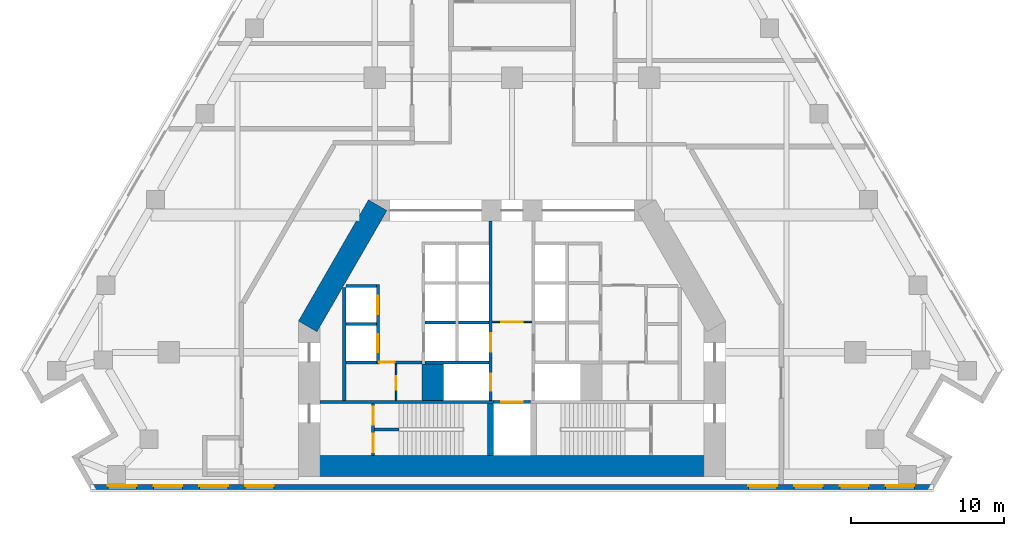
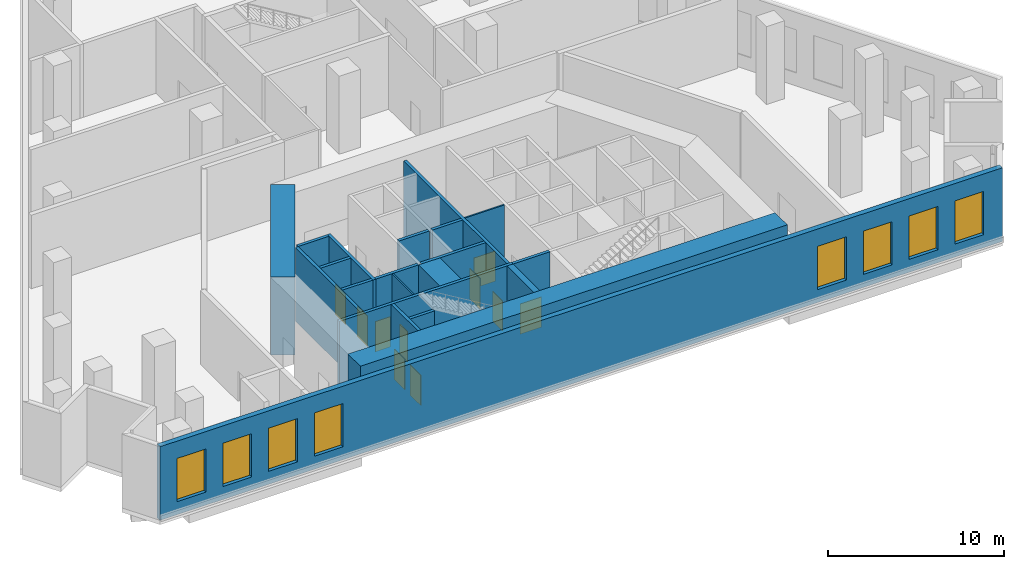
# One storey, part 4 of 10: 21 walls, 10 doors, 8 windows, 18 openings.
"""IFC4 building model written with IfcOpenShell, lengths in metres."""

import ifcopenshell
import ifcopenshell.guid

model = None  # the IFC model being written
_history = None  # IfcOwnerHistory: only IFC2X3 demands one
_inside = {}  # id of a spatial element -> (the spatial element, [elements in it])
_under = {}  # id of a project, library or spatial element -> (it, [spatial elements below it])
_declared = {}  # id of a project -> (the project, [libraries it declares])
_typed = {}  # id of a type object -> (the type object, [elements of that type])
_made_of = {}  # id of a material, layer set ... -> (it, [elements and type objects made of it])


def new_model(schema):
    """Start an empty IFC model of exactly this schema.

    Asked for "IFC4X3", IfcOpenShell would pick the latest addendum, in which some entities
    have other attributes; the version numbers below select the first issue.
    IFC2X3 requires an IfcOwnerHistory on every rooted entity: one is made here for all.
    """
    global model, _history
    if schema == "IFC4X3":
        model = ifcopenshell.file(schema_version=(4, 3, 0, 0))
    else:
        model = ifcopenshell.file(schema=schema)
    _inside.clear()
    _under.clear()
    _declared.clear()
    _typed.clear()
    _made_of.clear()
    _history = None
    if model.schema == "IFC2X3":
        org = make("IfcOrganization", Name="unknown")
        user = make(
            "IfcPersonAndOrganization",
            ThePerson=make("IfcPerson", FamilyName="unknown"),
            TheOrganization=org,
        )
        app = make(
            "IfcApplication",
            ApplicationDeveloper=org,
            Version="unknown",
            ApplicationFullName="unknown",
            ApplicationIdentifier="unknown",
        )
        _history = make(
            "IfcOwnerHistory",
            OwningUser=user,
            OwningApplication=app,
            ChangeAction="ADDED",
            CreationDate=0,
        )
    return model


def make(cls, **values):
    """One entity of the class cls with the attributes given. An attribute that is None is left unset."""
    return model.create_entity(
        cls, **{name: value for name, value in values.items() if value is not None}
    )


def rooted(cls, **values):
    """An entity with a GlobalId (a new one), such as an element, a storey or a relation."""
    return make(cls, GlobalId=ifcopenshell.guid.new(), OwnerHistory=_history, **values)


def si_unit(unit_type, name, prefix=None):
    """IfcSIUnit, for example si_unit("LENGTHUNIT", "METRE", prefix="MILLI")."""
    return make("IfcSIUnit", UnitType=unit_type, Prefix=prefix, Name=name)


def assignment(units):
    """IfcUnitAssignment: the units of a project."""
    return None if units is None else make("IfcUnitAssignment", Units=units)


def point(xyz):
    """IfcCartesianPoint."""
    return None if xyz is None else make("IfcCartesianPoint", Coordinates=xyz)


def direction(xyz):
    """IfcDirection."""
    return None if xyz is None else make("IfcDirection", DirectionRatios=xyz)


def frame(location, z_axis=None, x_axis=None):
    """IfcAxis2Placement3D, a coordinate frame: its origin and axes. An axis left out is left unset."""
    return make(
        "IfcAxis2Placement3D",
        Location=point(location),
        Axis=direction(z_axis),
        RefDirection=direction(x_axis),
    )


def frame_2d(location, x_axis=None):
    """IfcAxis2Placement2D, a coordinate frame in the plane: its origin and x axis."""
    return make(
        "IfcAxis2Placement2D", Location=point(location), RefDirection=direction(x_axis)
    )


def origin():
    """The frame at (0, 0, 0) with its axes left unset."""
    return frame((0.0, 0.0, 0.0))


def place(relative_to, where):
    """IfcLocalPlacement: puts the frame where relative to a parent placement (None: the world)."""
    return make(
        "IfcLocalPlacement", PlacementRelTo=relative_to, RelativePlacement=where
    )


def context(
    kind, dimensions, precision=None, world=None, true_north=None, identifier=None
):
    """IfcGeometricRepresentationContext, for example the 3D "Model" context."""
    return make(
        "IfcGeometricRepresentationContext",
        ContextIdentifier=identifier,
        ContextType=kind,
        CoordinateSpaceDimension=dimensions,
        Precision=precision,
        WorldCoordinateSystem=world,
        TrueNorth=true_north,
    )


def subcontext(parent, identifier, kind, view, scale=None):
    """IfcGeometricRepresentationSubContext, for example "Body" below "Model"."""
    return make(
        "IfcGeometricRepresentationSubContext",
        ContextIdentifier=identifier,
        ContextType=kind,
        ParentContext=parent,
        TargetScale=scale,
        TargetView=view,
    )


def project(units=None, contexts=None):
    """IfcProject with its units and contexts."""
    return rooted(
        "IfcProject",
        Name="project",
        RepresentationContexts=contexts,
        UnitsInContext=assignment(units),
    )


def spatial(cls, under=None, at=None, **own):
    """A site, building, storey or space (cls), placed at a placement, below another one or the project."""
    s = rooted(cls, ObjectPlacement=at, **own)
    if under is not None:
        _under.setdefault(under.id(), (under, []))[1].append(s)
    return s


def profile(cls, at=None, kind="AREA", **sizes):
    """A parametric profile (cls). Its sizes go by their IFC names, for example OverallWidth=200.0."""
    return make(cls, ProfileType=kind, Position=at, **sizes)


def rectangle(**sizes):
    """IfcRectangleProfileDef."""
    return profile("IfcRectangleProfileDef", **sizes)


def extrude(swept, where, along, depth):
    """IfcExtrudedAreaSolid: the profile swept, set in the frame where, extruded along a direction by depth."""
    return make(
        "IfcExtrudedAreaSolid",
        SweptArea=swept,
        Position=where,
        ExtrudedDirection=direction(along),
        Depth=depth,
    )


def shape(context_of_items, identifier, shape_type, items):
    """IfcShapeRepresentation: the items that make up one representation, for example the "Body"."""
    return make(
        "IfcShapeRepresentation",
        ContextOfItems=context_of_items,
        RepresentationIdentifier=identifier,
        RepresentationType=shape_type,
        Items=items,
    )


def material(Name=None, Category=None):
    """IfcMaterial."""
    return make("IfcMaterial", Name=Name, Category=Category)


def layer(
    of_material, thickness, ventilated=None, Name=None, Category=None, Priority=None
):
    """IfcMaterialLayer: one layer of a wall or slab, of a material (None: an air gap)."""
    return make(
        "IfcMaterialLayer",
        Material=of_material,
        LayerThickness=thickness,
        IsVentilated=ventilated,
        Name=Name,
        Category=Category,
        Priority=Priority,
    )


def layer_set(layers, Name=None):
    """IfcMaterialLayerSet."""
    return make("IfcMaterialLayerSet", MaterialLayers=layers, LayerSetName=Name)


def made_of(thing, what):
    """Note that an element or type object is made of a material, layer set ...; save() writes the relation."""
    if what is not None:
        _made_of.setdefault(what.id(), (what, []))[1].append(thing)
    return thing


def type_object(cls, material=None, **own):
    """A type object (cls), such as IfcWallType, which elements share."""
    return made_of(rooted(cls, **own), material)


def element(
    cls,
    number,
    at=None,
    inside=None,
    cuts=None,
    type_object=None,
    material=None,
    context=None,
    identifier="Body",
    shape_type=None,
    held_by="IfcProductDefinitionShape",
    body=None,
    shapes=None,
    **own,
):
    """One element of the class cls, such as IfcWall. Its Tag is "e" and its number.

    at: its placement. inside: the storey or other place that contains it. cuts: it is an
    opening in that element (IfcRelVoidsElement). A single representation is given by context,
    identifier, shape_type and body (its items); several are given by shapes. held_by: the class
    of the entity that holds the representations. save() writes the other relations.
    """
    e = rooted(cls, Tag="e%d" % number, ObjectPlacement=at, **own)
    if body is not None:
        shapes = [shape(context, identifier, shape_type, body)]
    if shapes is not None:
        e.Representation = make(held_by, Representations=shapes)
    if inside is not None:
        _inside.setdefault(inside.id(), (inside, []))[1].append(e)
    if cuts is not None:
        rooted(
            "IfcRelVoidsElement", RelatingBuildingElement=cuts, RelatedOpeningElement=e
        )
    if type_object is not None:
        _typed.setdefault(type_object.id(), (type_object, []))[1].append(e)
    return made_of(e, material)


def fill(opening, filler):
    """IfcRelFillsElement: the door or window that sits in an opening."""
    return rooted(
        "IfcRelFillsElement",
        RelatingOpeningElement=opening,
        RelatedBuildingElement=filler,
    )


def aggregate(whole, parts):
    """IfcRelAggregates: a whole, such as a stair, and the parts it consists of."""
    return rooted("IfcRelAggregates", RelatingObject=whole, RelatedObjects=parts)


def save(model, path):
    """Write the relations noted so far, then the file.

    IfcRelAggregates (storeys below a building ...), IfcRelContainedInSpatialStructure (elements
    in a storey), IfcRelDefinesByType, IfcRelAssociatesMaterial and IfcRelDeclares: one each for
    every whole, place, type object, material and project.
    """
    for whole, parts in _under.values():
        aggregate(whole, parts)
    for where, things in _inside.values():
        rooted(
            "IfcRelContainedInSpatialStructure",
            RelatedElements=things,
            RelatingStructure=where,
        )
    for kind, things in _typed.values():
        rooted("IfcRelDefinesByType", RelatedObjects=things, RelatingType=kind)
    for what, things in _made_of.values():
        rooted("IfcRelAssociatesMaterial", RelatedObjects=things, RelatingMaterial=what)
    for by, libraries in _declared.values():
        rooted("IfcRelDeclares", RelatingContext=by, RelatedDefinitions=libraries)
    model.write(path)


model = new_model("IFC4")

# Units and contexts
model_context = context("Model", 3, precision=1e-05, world=origin(), true_north=direction((0.0, 1.0)))
body_context = subcontext(model_context, "Body", "Model", "MODEL_VIEW")
ifc_project = project(units=[si_unit("LENGTHUNIT", "METRE"), si_unit("AREAUNIT", "SQUARE_METRE"), si_unit("VOLUMEUNIT", "CUBIC_METRE"), si_unit("PLANEANGLEUNIT", "RADIAN"), si_unit("MASSUNIT", "GRAM", prefix="KILO")], contexts=[model_context])

# Site, building, storey
site_placement = place(None, origin())
site = spatial("IfcSite", under=ifc_project, at=site_placement, CompositionType="ELEMENT")
building_placement = place(site_placement, origin())
building = spatial("IfcBuilding", under=site, at=building_placement, Name="Fogline Exchange Tower", CompositionType="ELEMENT")
storey_placement = place(building_placement, frame((0.0, 0.0, 47.5)))
storey = spatial("IfcBuildingStorey", under=building, at=storey_placement, Name="L09", CompositionType="ELEMENT", Elevation=47.5)

# Wall, opening, door
ifc_material_1 = material(Name="Blockwork partition", Category="masonry")
ifc_layer_1 = layer(ifc_material_1, 0.10009765625)
ifc_layer_set_1 = layer_set([ifc_layer_1], Name="CW10")
wall_type_1 = type_object("IfcWallType", Name="CW10", PredefinedType="PARTITIONING", material=ifc_layer_set_1)
wall_1_placement = place(storey_placement, frame((-7.60009765625, 5.85009765625, 0.0), z_axis=(0.0, 0.0, 1.0), x_axis=(0.0, 1.0, 0.0)))
wall_1 = element("IfcWall", 1, at=wall_1_placement, inside=storey, type_object=wall_type_1, Name="WC partition", PredefinedType="PARTITIONING", context=body_context, shape_type="SweptSolid", body=[
    extrude(rectangle(XDim=2.39990234375, YDim=0.10009765625, at=frame_2d((1.199951171875, 0.0))), origin(), (0.0, 0.0, 1.0), 5.10009765625),
])
opening_1_placement = place(wall_1_placement, frame((0.699951171875, 0.0, 0.0)))
opening_1 = element("IfcOpeningElement", 2, at=opening_1_placement, cuts=wall_1, Name="Opening L09-C008", PredefinedType="OPENING", context=body_context, shape_type="SweptSolid", body=[
    extrude(rectangle(XDim=0.89990234375, YDim=2.10009765625, at=frame_2d((0.449951171875, 1.050048828125))), frame((0.0, 0.06005859375, 0.0), z_axis=(0.0, -1.0, 0.0), x_axis=(1.0, 0.0, 0.0)), (0.0, 0.0, 1.0), 0.1201171875),
])
ifc_material_2 = material(Name="Steel and timber fire door", Category="steel")
door_type_1 = type_object("IfcDoorType", Name="D-CS1", OperationType="SINGLE_SWING_RIGHT", PredefinedType="DOOR", material=ifc_material_2)
door_1_placement = place(opening_1_placement, frame((0.89990234375, 0.0, 0.0), z_axis=(0.0, 0.0, 1.0), x_axis=(-1.0, 0.0, 0.0)))
door_1 = element("IfcDoor", 3, at=door_1_placement, inside=storey, type_object=door_type_1, Name="Door to Plumbing Plant Room", OperationType="SINGLE_SWING_RIGHT", OverallHeight=2.10009765625, OverallWidth=0.89990234375, PredefinedType="DOOR", context=body_context, shape_type="SweptSolid", body=[
    extrude(rectangle(XDim=0.89990234375, YDim=2.10009765625, at=frame_2d((0.449951171875, 1.050048828125))), frame((0.0, 0.02490234375, 0.0), z_axis=(0.0, -1.0, 0.0), x_axis=(1.0, 0.0, 0.0)), (0.0, 0.0, 1.0), 0.050048828125),
])
fill(opening_1, door_1)

wall_2_placement = place(storey_placement, frame((-1.300048828125, 11.0, 0.0), z_axis=(0.0, 0.0, 1.0), x_axis=(1.0, 0.0, 0.0)))
wall_2 = element("IfcWall", 4, at=wall_2_placement, inside=storey, type_object=wall_type_1, Name="Lift lobby partition", PredefinedType="PARTITIONING", context=body_context, shape_type="SweptSolid", body=[
    extrude(rectangle(XDim=2.60009765625, YDim=0.10009765625, at=frame_2d((1.300048828125, 0.0))), origin(), (0.0, 0.0, 1.0), 5.10009765625),
])
opening_2_placement = place(wall_2_placement, frame((0.60009765625, 0.0, 0.0)))
opening_2 = element("IfcOpeningElement", 5, at=opening_2_placement, cuts=wall_2, Name="Opening L09-C018", PredefinedType="OPENING", context=body_context, shape_type="SweptSolid", body=[
    extrude(rectangle(XDim=1.39990234375, YDim=2.10009765625, at=frame_2d((0.699951171875, 1.050048828125))), frame((0.0, 0.06005859375, 0.0), z_axis=(0.0, -1.0, 0.0), x_axis=(1.0, 0.0, 0.0)), (0.0, 0.0, 1.0), 0.1201171875),
])
door_type_2 = type_object("IfcDoorType", Name="D-LB1", OperationType="DOUBLE_DOOR_SINGLE_SWING", PredefinedType="DOOR", material=ifc_material_2)
door_2_placement = place(opening_2_placement, frame((1.39990234375, 0.0, 0.0), z_axis=(0.0, 0.0, 1.0), x_axis=(-1.0, 0.0, 0.0)))
door_2 = element("IfcDoor", 6, at=door_2_placement, inside=storey, type_object=door_type_2, Name="Door to firefighting lift lobby", OperationType="DOUBLE_DOOR_SINGLE_SWING", OverallHeight=2.10009765625, OverallWidth=1.39990234375, PredefinedType="DOOR", context=body_context, shape_type="SweptSolid", body=[
    extrude(rectangle(XDim=1.39990234375, YDim=2.10009765625, at=frame_2d((0.699951171875, 1.050048828125))), frame((0.0, 0.02490234375, 0.0), z_axis=(0.0, -1.0, 0.0), x_axis=(1.0, 0.0, 0.0)), (0.0, 0.0, 1.0), 0.050048828125),
])
fill(opening_2, door_2)

# Walls
ifc_material_3 = material(Name="Concrete C60", Category="concrete")
ifc_layer_2 = layer(ifc_material_3, 1.39990234375)
ifc_layer_set_2 = layer_set([ifc_layer_2], Name="CW140")
wall_type_2 = type_object("IfcWallType", Name="CW140", PredefinedType="SOLIDWALL", material=ifc_layer_set_2)
wall_3_placement = place(storey_placement, frame((-5.199951171875, 5.85009765625, -0.300048828125), z_axis=(0.0, 0.0, 1.0), x_axis=(0.0, 1.0, 0.0)))
element("IfcWall", 7, at=wall_3_placement, inside=storey, type_object=wall_type_2, Name="Lift shaft block wall", PredefinedType="SOLIDWALL", context=body_context, shape_type="SweptSolid", body=[
    extrude(rectangle(XDim=2.39990234375, YDim=1.39990234375, at=frame_2d((1.199951171875, 0.0))), origin(), (0.0, 0.0, 1.0), 5.400146484375),
])
ifc_material_4 = material(Name="Concrete C40", Category="concrete")
ifc_layer_3 = layer(ifc_material_4, 0.199951171875)
ifc_layer_set_3 = layer_set([ifc_layer_3], Name="CW20")
wall_type_3 = type_object("IfcWallType", Name="CW20", PredefinedType="SOLIDWALL", material=ifc_layer_set_3)
wall_4_placement = place(storey_placement, frame((-11.0, 5.85009765625, 0.0), z_axis=(0.0, 0.0, 1.0), x_axis=(0.0, 1.0, 0.0)))
element("IfcWall", 8, at=wall_4_placement, inside=storey, type_object=wall_type_3, Name="Service room wall", PredefinedType="SOLIDWALL", context=body_context, shape_type="SweptSolid", body=[
    extrude(rectangle(XDim=7.39990234375, YDim=0.199951171875, at=frame_2d((3.699951171875, 0.0))), origin(), (0.0, 0.0, 1.0), 5.10009765625),
])

# Wall, opening, door
wall_5_placement = place(storey_placement, frame((-8.699951171875, 8.35009765625, 0.0), z_axis=(0.0, 0.0, 1.0), x_axis=(1.0, 0.0, 0.0)))
wall_5 = element("IfcWall", 9, at=wall_5_placement, inside=storey, type_object=wall_type_3, Name="WC wall", PredefinedType="SOLIDWALL", context=body_context, shape_type="SweptSolid", body=[
    extrude(rectangle(XDim=2.800048828125, YDim=0.199951171875, at=frame_2d((1.39990234375, 0.0))), origin(), (0.0, 0.0, 1.0), 5.10009765625),
])
opening_3_placement = place(wall_5_placement, origin())
opening_3 = element("IfcOpeningElement", 10, at=opening_3_placement, cuts=wall_5, Name="Opening L09-C007", PredefinedType="OPENING", context=body_context, shape_type="SweptSolid", body=[
    extrude(rectangle(XDim=1.0, YDim=2.10009765625, at=frame_2d((0.5, 1.050048828125))), frame((0.0, 0.10986328125, 0.0), z_axis=(0.0, -1.0, 0.0), x_axis=(1.0, 0.0, 0.0)), (0.0, 0.0, 1.0), 0.219970703125),
])
door_type_3 = type_object("IfcDoorType", Name="D-WC1", OperationType="SINGLE_SWING_LEFT", PredefinedType="DOOR", material=ifc_material_2)
door_3_placement = place(opening_3_placement, frame((1.0, 0.0, 0.0), z_axis=(0.0, 0.0, 1.0), x_axis=(-1.0, 0.0, 0.0)))
door_3 = element("IfcDoor", 11, at=door_3_placement, inside=storey, type_object=door_type_3, Name="Door to Men's WC", OperationType="SINGLE_SWING_LEFT", OverallHeight=2.10009765625, OverallWidth=1.0, PredefinedType="DOOR", context=body_context, shape_type="SweptSolid", body=[
    extrude(rectangle(XDim=1.0, YDim=2.10009765625, at=frame_2d((0.5, 1.050048828125))), frame((0.0, 0.02490234375, 0.0), z_axis=(0.0, -1.0, 0.0), x_axis=(1.0, 0.0, 0.0)), (0.0, 0.0, 1.0), 0.050048828125),
])
fill(opening_3, door_3)

# Walls
ifc_layer_4 = layer(ifc_material_4, 0.199951171875)
ifc_layer_set_4 = layer_set([ifc_layer_4], Name="CW20B")
wall_type_4 = type_object("IfcWallType", Name="CW20B", PredefinedType="SOLIDWALL", material=ifc_layer_set_4)
wall_6_placement = place(storey_placement, frame((-9.0, 3.949951171875, 0.0), z_axis=(0.0, 0.0, 1.0), x_axis=(1.0, 0.0, 0.0)))
element("IfcWall", 12, at=wall_6_placement, inside=storey, type_object=wall_type_4, Name="Stair separation wall", PredefinedType="SOLIDWALL", context=body_context, shape_type="SweptSolid", body=[
    extrude(rectangle(XDim=1.60009765625, YDim=0.199951171875, at=frame_2d((0.800048828125, 0.0))), origin(), (0.0, 0.0, 1.0), 5.10009765625),
])
ifc_layer_5 = layer(ifc_material_4, 0.199951171875)
ifc_layer_set_5 = layer_set([ifc_layer_5], Name="CW20R")
wall_type_5 = type_object("IfcWallType", Name="CW20R", PredefinedType="SOLIDWALL", material=ifc_layer_set_5)
wall_7_placement = place(storey_placement, frame((-12.60009765625, 5.75, -0.300048828125), z_axis=(0.0, 0.0, 1.0), x_axis=(1.0, 0.0, 0.0)))
element("IfcWall", 13, at=wall_7_placement, inside=storey, type_object=wall_type_5, Name="Stair enclosure wall", PredefinedType="SOLIDWALL", context=body_context, shape_type="SweptSolid", body=[
    extrude(rectangle(XDim=11.400146484375, YDim=0.199951171875, at=frame_2d((5.7001953125, 0.0))), origin(), (0.0, 0.0, 1.0), 5.400146484375),
])

# Wall, opening, door
wall_8_placement = place(storey_placement, frame((-1.199951171875, 5.75, -0.300048828125), z_axis=(0.0, 0.0, 1.0), x_axis=(1.0, 0.0, 0.0)))
wall_8 = element("IfcWall", 14, at=wall_8_placement, inside=storey, type_object=wall_type_5, Name="Stair enclosure wall", PredefinedType="SOLIDWALL", context=body_context, shape_type="SweptSolid", body=[
    extrude(rectangle(XDim=2.39990234375, YDim=0.199951171875, at=frame_2d((1.199951171875, 0.0))), origin(), (0.0, 0.0, 1.0), 5.400146484375),
])
opening_4_placement = place(wall_8_placement, frame((0.5, 0.0, 0.300048828125)))
opening_4 = element("IfcOpeningElement", 15, at=opening_4_placement, cuts=wall_8, Name="Opening L09-LD09", PredefinedType="OPENING", context=body_context, shape_type="SweptSolid", body=[
    extrude(rectangle(XDim=1.39990234375, YDim=2.10009765625, at=frame_2d((0.699951171875, 1.050048828125))), frame((0.0, 0.10986328125, 0.0), z_axis=(0.0, -1.0, 0.0), x_axis=(1.0, 0.0, 0.0)), (0.0, 0.0, 1.0), 0.219970703125),
])
door_type_4 = type_object("IfcDoorType", Name="LD3", OperationType="SLIDING_TO_LEFT", PredefinedType="DOOR", material=ifc_material_2)
door_4_placement = place(opening_4_placement, origin())
door_4 = element("IfcDoor", 16, at=door_4_placement, inside=storey, type_object=door_type_4, Name="Landing door GL1", OperationType="SLIDING_TO_LEFT", OverallHeight=2.10009765625, OverallWidth=1.39990234375, PredefinedType="DOOR", context=body_context, shape_type="SweptSolid", body=[
    extrude(rectangle(XDim=1.39990234375, YDim=2.10009765625, at=frame_2d((0.699951171875, 1.050048828125))), frame((0.0, 0.02490234375, 0.0), z_axis=(0.0, -1.0, 0.0), x_axis=(1.0, 0.0, 0.0)), (0.0, 0.0, 1.0), 0.050048828125),
])
fill(opening_4, door_4)

# Wall, openings, doors
wall_9_placement = place(storey_placement, frame((-9.10009765625, 2.25, -0.300048828125), z_axis=(0.0, 0.0, 1.0), x_axis=(0.0, 1.0, 0.0)))
wall_9 = element("IfcWall", 17, at=wall_9_placement, inside=storey, type_object=wall_type_5, Name="Stair enclosure wall", PredefinedType="SOLIDWALL", context=body_context, shape_type="SweptSolid", body=[
    extrude(rectangle(XDim=3.39990234375, YDim=0.199951171875, at=frame_2d((1.699951171875, 0.0))), origin(), (0.0, 0.0, 1.0), 5.400146484375),
])
opening_5_placement = place(wall_9_placement, frame((0.199951171875, 0.0, 0.300048828125)))
opening_5 = element("IfcOpeningElement", 18, at=opening_5_placement, cuts=wall_9, Name="Opening L09-C010", PredefinedType="OPENING", context=body_context, shape_type="SweptSolid", body=[
    extrude(rectangle(XDim=1.199951171875, YDim=2.10009765625, at=frame_2d((0.60009765625, 1.050048828125))), frame((0.0, 0.10986328125, 0.0), z_axis=(0.0, -1.0, 0.0), x_axis=(1.0, 0.0, 0.0)), (0.0, 0.0, 1.0), 0.219970703125),
])
opening_6_placement = place(wall_9_placement, frame((2.0, 0.0, 0.300048828125)))
opening_6 = element("IfcOpeningElement", 19, at=opening_6_placement, cuts=wall_9, Name="Opening L09-C022", PredefinedType="OPENING", context=body_context, shape_type="SweptSolid", body=[
    extrude(rectangle(XDim=1.199951171875, YDim=2.10009765625, at=frame_2d((0.60009765625, 1.050048828125))), frame((0.0, 0.10986328125, 0.0), z_axis=(0.0, -1.0, 0.0), x_axis=(1.0, 0.0, 0.0)), (0.0, 0.0, 1.0), 0.219970703125),
])
door_type_5 = type_object("IfcDoorType", Name="D-ST1", OperationType="SINGLE_SWING_LEFT", PredefinedType="DOOR", material=ifc_material_2)
door_5_placement = place(opening_5_placement, frame((1.199951171875, 0.0, 0.0), z_axis=(0.0, 0.0, 1.0), x_axis=(-1.0, 0.0, 0.0)))
door_5 = element("IfcDoor", 20, at=door_5_placement, inside=storey, type_object=door_type_5, Name="Stair door ST1", OperationType="SINGLE_SWING_RIGHT", OverallHeight=2.10009765625, OverallWidth=1.199951171875, PredefinedType="DOOR", context=body_context, shape_type="SweptSolid", body=[
    extrude(rectangle(XDim=1.199951171875, YDim=2.10009765625, at=frame_2d((0.60009765625, 1.050048828125))), frame((0.0, 0.02490234375, 0.0), z_axis=(0.0, -1.0, 0.0), x_axis=(1.0, 0.0, 0.0)), (0.0, 0.0, 1.0), 0.050048828125),
])
fill(opening_5, door_5)
door_6_placement = place(opening_6_placement, origin())
door_6 = element("IfcDoor", 21, at=door_6_placement, inside=storey, type_object=door_type_5, Name="Stair arrival door ST1", OperationType="SINGLE_SWING_RIGHT", OverallHeight=2.10009765625, OverallWidth=1.199951171875, PredefinedType="DOOR", context=body_context, shape_type="SweptSolid", body=[
    extrude(rectangle(XDim=1.199951171875, YDim=2.10009765625, at=frame_2d((0.60009765625, 1.050048828125))), frame((0.0, 0.02490234375, 0.0), z_axis=(0.0, -1.0, 0.0), x_axis=(1.0, 0.0, 0.0)), (0.0, 0.0, 1.0), 0.050048828125),
])
fill(opening_6, door_6)

ifc_layer_6 = layer(ifc_material_4, 0.199951171875)
ifc_layer_set_6 = layer_set([ifc_layer_6], Name="CW20S")
wall_type_6 = type_object("IfcWallType", Name="CW20S", PredefinedType="SOLIDWALL", material=ifc_layer_set_6)
wall_10_placement = place(storey_placement, frame((-8.800048828125, 8.25, -0.300048828125), z_axis=(0.0, 0.0, 1.0), x_axis=(0.0, 1.0, 0.0)))
wall_10 = element("IfcWall", 22, at=wall_10_placement, inside=storey, type_object=wall_type_6, Name="Lift shaft wall", PredefinedType="SOLIDWALL", context=body_context, shape_type="SweptSolid", body=[
    extrude(rectangle(XDim=5.199951171875, YDim=0.199951171875, at=frame_2d((2.60009765625, 0.0))), origin(), (0.0, 0.0, 1.0), 5.400146484375),
])
opening_7_placement = place(wall_10_placement, frame((0.75, 0.0, 0.300048828125)))
opening_7 = element("IfcOpeningElement", 23, at=opening_7_placement, cuts=wall_10, Name="Opening L09-LD01", PredefinedType="OPENING", context=body_context, shape_type="SweptSolid", body=[
    extrude(rectangle(XDim=1.199951171875, YDim=2.10009765625, at=frame_2d((0.60009765625, 1.050048828125))), frame((0.0, 0.10986328125, 0.0), z_axis=(0.0, -1.0, 0.0), x_axis=(1.0, 0.0, 0.0)), (0.0, 0.0, 1.0), 0.219970703125),
])
opening_8_placement = place(wall_10_placement, frame((3.25, 0.0, 0.300048828125)))
opening_8 = element("IfcOpeningElement", 24, at=opening_8_placement, cuts=wall_10, Name="Opening L09-LD02", PredefinedType="OPENING", context=body_context, shape_type="SweptSolid", body=[
    extrude(rectangle(XDim=1.199951171875, YDim=2.10009765625, at=frame_2d((0.60009765625, 1.050048828125))), frame((0.0, 0.10986328125, 0.0), z_axis=(0.0, -1.0, 0.0), x_axis=(1.0, 0.0, 0.0)), (0.0, 0.0, 1.0), 0.219970703125),
])
door_type_6 = type_object("IfcDoorType", Name="LD1", OperationType="SLIDING_TO_LEFT", PredefinedType="DOOR", material=ifc_material_2)
door_7_placement = place(opening_7_placement, origin())
door_7 = element("IfcDoor", 25, at=door_7_placement, inside=storey, type_object=door_type_6, Name="Landing door LR1", OperationType="SLIDING_TO_LEFT", OverallHeight=2.10009765625, OverallWidth=1.199951171875, PredefinedType="DOOR", context=body_context, shape_type="SweptSolid", body=[
    extrude(rectangle(XDim=1.199951171875, YDim=2.10009765625, at=frame_2d((0.60009765625, 1.050048828125))), frame((0.0, 0.02490234375, 0.0), z_axis=(0.0, -1.0, 0.0), x_axis=(1.0, 0.0, 0.0)), (0.0, 0.0, 1.0), 0.050048828125),
])
fill(opening_7, door_7)
door_8_placement = place(opening_8_placement, origin())
door_8 = element("IfcDoor", 26, at=door_8_placement, inside=storey, type_object=door_type_6, Name="Landing door LR2", OperationType="SLIDING_TO_LEFT", OverallHeight=2.10009765625, OverallWidth=1.199951171875, PredefinedType="DOOR", context=body_context, shape_type="SweptSolid", body=[
    extrude(rectangle(XDim=1.199951171875, YDim=2.10009765625, at=frame_2d((0.60009765625, 1.050048828125))), frame((0.0, 0.02490234375, 0.0), z_axis=(0.0, -1.0, 0.0), x_axis=(1.0, 0.0, 0.0)), (0.0, 0.0, 1.0), 0.050048828125),
])
fill(opening_8, door_8)

wall_11_placement = place(storey_placement, frame((-1.39990234375, 5.85009765625, -0.300048828125), z_axis=(0.0, 0.0, 1.0), x_axis=(0.0, 1.0, 0.0)))
wall_11 = element("IfcWall", 27, at=wall_11_placement, inside=storey, type_object=wall_type_6, Name="Lift lobby wall", PredefinedType="SOLIDWALL", context=body_context, shape_type="SweptSolid", body=[
    extrude(rectangle(XDim=11.75, YDim=0.199951171875, at=frame_2d((5.875, 0.0))), origin(), (0.0, 0.0, 1.0), 5.400146484375),
])
opening_9_placement = place(wall_11_placement, frame((3.199951171875, 0.0, 0.300048828125)))
opening_9 = element("IfcOpeningElement", 28, at=opening_9_placement, cuts=wall_11, Name="Opening L09-LD06", PredefinedType="OPENING", context=body_context, shape_type="SweptSolid", body=[
    extrude(rectangle(XDim=1.199951171875, YDim=2.10009765625, at=frame_2d((0.60009765625, 1.050048828125))), frame((0.0, 0.10986328125, 0.0), z_axis=(0.0, -1.0, 0.0), x_axis=(1.0, 0.0, 0.0)), (0.0, 0.0, 1.0), 0.219970703125),
])
opening_10_placement = place(wall_11_placement, frame((0.64990234375, 0.0, 0.300048828125)))
opening_10 = element("IfcOpeningElement", 29, at=opening_10_placement, cuts=wall_11, Name="Opening L09-LD07", PredefinedType="OPENING", context=body_context, shape_type="SweptSolid", body=[
    extrude(rectangle(XDim=1.10009765625, YDim=2.10009765625, at=frame_2d((0.550048828125, 1.050048828125))), frame((0.0, 0.10986328125, 0.0), z_axis=(0.0, -1.0, 0.0), x_axis=(1.0, 0.0, 0.0)), (0.0, 0.0, 1.0), 0.219970703125),
])
door_9_placement = place(opening_9_placement, origin())
door_9 = element("IfcDoor", 30, at=door_9_placement, inside=storey, type_object=door_type_6, Name="Landing door LR6", OperationType="SLIDING_TO_LEFT", OverallHeight=2.10009765625, OverallWidth=1.199951171875, PredefinedType="DOOR", context=body_context, shape_type="SweptSolid", body=[
    extrude(rectangle(XDim=1.199951171875, YDim=2.10009765625, at=frame_2d((0.60009765625, 1.050048828125))), frame((0.0, 0.02490234375, 0.0), z_axis=(0.0, -1.0, 0.0), x_axis=(1.0, 0.0, 0.0)), (0.0, 0.0, 1.0), 0.050048828125),
])
fill(opening_9, door_9)
door_type_7 = type_object("IfcDoorType", Name="LD2", OperationType="SLIDING_TO_RIGHT", PredefinedType="DOOR", material=ifc_material_2)
door_10_placement = place(opening_10_placement, origin())
door_10 = element("IfcDoor", 31, at=door_10_placement, inside=storey, type_object=door_type_7, Name="Landing door FF1", OperationType="SLIDING_TO_RIGHT", OverallHeight=2.10009765625, OverallWidth=1.10009765625, PredefinedType="DOOR", context=body_context, shape_type="SweptSolid", body=[
    extrude(rectangle(XDim=1.10009765625, YDim=2.10009765625, at=frame_2d((0.550048828125, 1.050048828125))), frame((0.0, 0.02490234375, 0.0), z_axis=(0.0, -1.0, 0.0), x_axis=(1.0, 0.0, 0.0)), (0.0, 0.0, 1.0), 0.050048828125),
])
fill(opening_10, door_10)

# Walls
wall_12_placement = place(storey_placement, frame((-10.89990234375, 8.35009765625, -0.300048828125), z_axis=(0.0, 0.0, 1.0), x_axis=(1.0, 0.0, 0.0)))
element("IfcWall", 32, at=wall_12_placement, inside=storey, type_object=wall_type_6, Name="Lift shaft wall", PredefinedType="SOLIDWALL", context=body_context, shape_type="SweptSolid", body=[
    extrude(rectangle(XDim=2.0, YDim=0.199951171875, at=frame_2d((1.0, 0.0))), origin(), (0.0, 0.0, 1.0), 5.400146484375),
])
wall_13_placement = place(storey_placement, frame((-5.699951171875, 8.35009765625, -0.300048828125), z_axis=(0.0, 0.0, 1.0), x_axis=(1.0, 0.0, 0.0)))
element("IfcWall", 33, at=wall_13_placement, inside=storey, type_object=wall_type_6, Name="Lift shaft wall", PredefinedType="SOLIDWALL", context=body_context, shape_type="SweptSolid", body=[
    extrude(rectangle(XDim=4.199951171875, YDim=0.199951171875, at=frame_2d((2.10009765625, 0.0))), origin(), (0.0, 0.0, 1.0), 5.400146484375),
])
for number, where, z_axis, x_axis, name in (
    (34, (-10.89990234375, 10.85009765625, -0.300048828125), (0.0, 0.0, 1.0), (1.0, 0.0, 0.0), "Lift shaft wall"),
    (35, (-10.89990234375, 13.35009765625, -0.300048828125), (0.0, 0.0, 1.0), (1.0, 0.0, 0.0), "Lift shaft wall"),
    (36, (-5.699951171875, 10.949951171875, -0.300048828125), (0.0, 0.0, 1.0), (1.0, 0.0, 0.0), "Lift shaft wall"),
    (37, (-3.5, 10.949951171875, -0.300048828125), (0.0, 0.0, 1.0), (1.0, 0.0, 0.0), "Lift shaft wall"),
):
    element("IfcWall", number, at=place(storey_placement, frame(where, z_axis=z_axis, x_axis=x_axis)), inside=storey, type_object=wall_type_6, Name=name, PredefinedType="SOLIDWALL", context=body_context, shape_type="SweptSolid", body=[
        extrude(rectangle(XDim=2.0, YDim=0.199951171875, at=frame_2d((1.0, 0.0))), origin(), (0.0, 0.0, 1.0), 5.400146484375),
    ])
ifc_layer_7 = layer(ifc_material_4, 0.39990234375)
ifc_layer_set_7 = layer_set([ifc_layer_7], Name="CW40R")
wall_type_7 = type_object("IfcWallType", Name="CW40R", PredefinedType="SOLIDWALL", material=ifc_layer_set_7)
wall_14_placement = place(storey_placement, frame((-1.39990234375, 2.25, -0.300048828125), z_axis=(0.0, 0.0, 1.0), x_axis=(0.0, 1.0, 0.0)))
element("IfcWall", 38, at=wall_14_placement, inside=storey, type_object=wall_type_7, Name="Stair and lift shaft wall", PredefinedType="SOLIDWALL", context=body_context, shape_type="SweptSolid", body=[
    extrude(rectangle(XDim=3.39990234375, YDim=0.39990234375, at=frame_2d((1.699951171875, 0.0))), origin(), (0.0, 0.0, 1.0), 5.400146484375),
])

# Wall, openings, windows
ifc_material_5 = material(Name="Brick masonry", Category="masonry")
ifc_layer_8 = layer(ifc_material_5, 0.340087890625)
ifc_layer_set_8 = layer_set([ifc_layer_8], Name="FW3")
wall_type_8 = type_object("IfcWallType", Name="FW3", PredefinedType="SOLIDWALL", material=ifc_layer_set_8)
wall_15_placement = place(storey_placement, frame((-27.627685546875, 0.169921875, 0.0), z_axis=(0.0, 0.0, 1.0), x_axis=(1.0, 0.0, 0.0)))
wall_15 = element("IfcWall", 39, at=wall_15_placement, inside=storey, type_object=wall_type_8, Name="Brick wall L09 S", PredefinedType="SOLIDWALL", context=body_context, shape_type="SweptSolid", body=[
    extrude(rectangle(XDim=55.25537109375, YDim=0.340087890625, at=frame_2d((27.627685546875, 0.0))), origin(), (0.0, 0.0, 1.0), 5.10009765625),
])
opening_11_placement = place(wall_15_placement, frame((1.127685546875, 0.0, 0.89990234375)))
opening_11 = element("IfcOpeningElement", 40, at=opening_11_placement, cuts=wall_15, Name="Opening W6", PredefinedType="OPENING", context=body_context, shape_type="SweptSolid", body=[
    extrude(rectangle(XDim=1.885009765625, YDim=3.0, at=frame_2d((0.9423828125, 1.5))), frame((0.0, 0.18017578125, 0.0), z_axis=(0.0, -1.0, 0.0), x_axis=(1.0, 0.0, 0.0)), (0.0, 0.0, 1.0), 0.360107421875),
])
opening_12_placement = place(wall_15_placement, frame((4.127685546875, 0.0, 0.89990234375)))
opening_12 = element("IfcOpeningElement", 41, at=opening_12_placement, cuts=wall_15, Name="Opening W6", PredefinedType="OPENING", context=body_context, shape_type="SweptSolid", body=[
    extrude(rectangle(XDim=1.885009765625, YDim=3.0, at=frame_2d((0.9423828125, 1.5))), frame((0.0, 0.18017578125, 0.0), z_axis=(0.0, -1.0, 0.0), x_axis=(1.0, 0.0, 0.0)), (0.0, 0.0, 1.0), 0.360107421875),
])
opening_13_placement = place(wall_15_placement, frame((7.127685546875, 0.0, 0.89990234375)))
opening_13 = element("IfcOpeningElement", 42, at=opening_13_placement, cuts=wall_15, Name="Opening W6", PredefinedType="OPENING", context=body_context, shape_type="SweptSolid", body=[
    extrude(rectangle(XDim=1.885009765625, YDim=3.0, at=frame_2d((0.9423828125, 1.5))), frame((0.0, 0.18017578125, 0.0), z_axis=(0.0, -1.0, 0.0), x_axis=(1.0, 0.0, 0.0)), (0.0, 0.0, 1.0), 0.360107421875),
])
opening_14_placement = place(wall_15_placement, frame((10.127685546875, 0.0, 0.89990234375)))
opening_14 = element("IfcOpeningElement", 43, at=opening_14_placement, cuts=wall_15, Name="Opening W6", PredefinedType="OPENING", context=body_context, shape_type="SweptSolid", body=[
    extrude(rectangle(XDim=1.885009765625, YDim=3.0, at=frame_2d((0.9423828125, 1.5))), frame((0.0, 0.18017578125, 0.0), z_axis=(0.0, -1.0, 0.0), x_axis=(1.0, 0.0, 0.0)), (0.0, 0.0, 1.0), 0.360107421875),
])
opening_15_placement = place(wall_15_placement, frame((43.127685546875, 0.0, 0.89990234375)))
opening_15 = element("IfcOpeningElement", 44, at=opening_15_placement, cuts=wall_15, Name="Opening W6", PredefinedType="OPENING", context=body_context, shape_type="SweptSolid", body=[
    extrude(rectangle(XDim=1.885009765625, YDim=3.0, at=frame_2d((0.9423828125, 1.5))), frame((0.0, 0.18017578125, 0.0), z_axis=(0.0, -1.0, 0.0), x_axis=(1.0, 0.0, 0.0)), (0.0, 0.0, 1.0), 0.360107421875),
])
opening_16_placement = place(wall_15_placement, frame((46.127685546875, 0.0, 0.89990234375)))
opening_16 = element("IfcOpeningElement", 45, at=opening_16_placement, cuts=wall_15, Name="Opening W6", PredefinedType="OPENING", context=body_context, shape_type="SweptSolid", body=[
    extrude(rectangle(XDim=1.885009765625, YDim=3.0, at=frame_2d((0.9423828125, 1.5))), frame((0.0, 0.18017578125, 0.0), z_axis=(0.0, -1.0, 0.0), x_axis=(1.0, 0.0, 0.0)), (0.0, 0.0, 1.0), 0.360107421875),
])
opening_17_placement = place(wall_15_placement, frame((49.127685546875, 0.0, 0.89990234375)))
opening_17 = element("IfcOpeningElement", 46, at=opening_17_placement, cuts=wall_15, Name="Opening W6", PredefinedType="OPENING", context=body_context, shape_type="SweptSolid", body=[
    extrude(rectangle(XDim=1.885009765625, YDim=3.0, at=frame_2d((0.9423828125, 1.5))), frame((0.0, 0.18017578125, 0.0), z_axis=(0.0, -1.0, 0.0), x_axis=(1.0, 0.0, 0.0)), (0.0, 0.0, 1.0), 0.360107421875),
])
opening_18_placement = place(wall_15_placement, frame((52.127685546875, 0.0, 0.89990234375)))
opening_18 = element("IfcOpeningElement", 47, at=opening_18_placement, cuts=wall_15, Name="Opening W6", PredefinedType="OPENING", context=body_context, shape_type="SweptSolid", body=[
    extrude(rectangle(XDim=1.885009765625, YDim=3.0, at=frame_2d((0.9423828125, 1.5))), frame((0.0, 0.18017578125, 0.0), z_axis=(0.0, -1.0, 0.0), x_axis=(1.0, 0.0, 0.0)), (0.0, 0.0, 1.0), 0.360107421875),
])
ifc_material_6 = material(Name="Aluminium louvre", Category="aluminium")
window_type = type_object("IfcWindowType", Name="W6", PartitioningType="SINGLE_PANEL", PredefinedType="WINDOW", material=ifc_material_6)
window_1_placement = place(opening_11_placement, origin())
window_1 = element("IfcWindow", 48, at=window_1_placement, inside=storey, type_object=window_type, Name="W6 W6", OverallHeight=3.0, OverallWidth=1.885009765625, PartitioningType="SINGLE_PANEL", PredefinedType="WINDOW", context=body_context, shape_type="SweptSolid", body=[
    extrude(rectangle(XDim=1.885009765625, YDim=3.0, at=frame_2d((0.9423828125, 1.5))), frame((0.0, 0.110107421875, 0.0), z_axis=(0.0, -1.0, 0.0), x_axis=(1.0, 0.0, 0.0)), (0.0, 0.0, 1.0), 0.06005859375),
])
fill(opening_11, window_1)
window_2_placement = place(opening_12_placement, origin())
window_2 = element("IfcWindow", 49, at=window_2_placement, inside=storey, type_object=window_type, Name="W6 W6", OverallHeight=3.0, OverallWidth=1.885009765625, PartitioningType="SINGLE_PANEL", PredefinedType="WINDOW", context=body_context, shape_type="SweptSolid", body=[
    extrude(rectangle(XDim=1.885009765625, YDim=3.0, at=frame_2d((0.9423828125, 1.5))), frame((0.0, 0.110107421875, 0.0), z_axis=(0.0, -1.0, 0.0), x_axis=(1.0, 0.0, 0.0)), (0.0, 0.0, 1.0), 0.06005859375),
])
fill(opening_12, window_2)
window_3_placement = place(opening_13_placement, origin())
window_3 = element("IfcWindow", 50, at=window_3_placement, inside=storey, type_object=window_type, Name="W6 W6", OverallHeight=3.0, OverallWidth=1.885009765625, PartitioningType="SINGLE_PANEL", PredefinedType="WINDOW", context=body_context, shape_type="SweptSolid", body=[
    extrude(rectangle(XDim=1.885009765625, YDim=3.0, at=frame_2d((0.9423828125, 1.5))), frame((0.0, 0.110107421875, 0.0), z_axis=(0.0, -1.0, 0.0), x_axis=(1.0, 0.0, 0.0)), (0.0, 0.0, 1.0), 0.06005859375),
])
fill(opening_13, window_3)
window_4_placement = place(opening_14_placement, origin())
window_4 = element("IfcWindow", 51, at=window_4_placement, inside=storey, type_object=window_type, Name="W6 W6", OverallHeight=3.0, OverallWidth=1.885009765625, PartitioningType="SINGLE_PANEL", PredefinedType="WINDOW", context=body_context, shape_type="SweptSolid", body=[
    extrude(rectangle(XDim=1.885009765625, YDim=3.0, at=frame_2d((0.9423828125, 1.5))), frame((0.0, 0.110107421875, 0.0), z_axis=(0.0, -1.0, 0.0), x_axis=(1.0, 0.0, 0.0)), (0.0, 0.0, 1.0), 0.06005859375),
])
fill(opening_14, window_4)
window_5_placement = place(opening_15_placement, origin())
window_5 = element("IfcWindow", 52, at=window_5_placement, inside=storey, type_object=window_type, Name="W6 W6", OverallHeight=3.0, OverallWidth=1.885009765625, PartitioningType="SINGLE_PANEL", PredefinedType="WINDOW", context=body_context, shape_type="SweptSolid", body=[
    extrude(rectangle(XDim=1.885009765625, YDim=3.0, at=frame_2d((0.9423828125, 1.5))), frame((0.0, 0.110107421875, 0.0), z_axis=(0.0, -1.0, 0.0), x_axis=(1.0, 0.0, 0.0)), (0.0, 0.0, 1.0), 0.06005859375),
])
fill(opening_15, window_5)
window_6_placement = place(opening_16_placement, origin())
window_6 = element("IfcWindow", 53, at=window_6_placement, inside=storey, type_object=window_type, Name="W6 W6", OverallHeight=3.0, OverallWidth=1.885009765625, PartitioningType="SINGLE_PANEL", PredefinedType="WINDOW", context=body_context, shape_type="SweptSolid", body=[
    extrude(rectangle(XDim=1.885009765625, YDim=3.0, at=frame_2d((0.9423828125, 1.5))), frame((0.0, 0.110107421875, 0.0), z_axis=(0.0, -1.0, 0.0), x_axis=(1.0, 0.0, 0.0)), (0.0, 0.0, 1.0), 0.06005859375),
])
fill(opening_16, window_6)
window_7_placement = place(opening_17_placement, origin())
window_7 = element("IfcWindow", 54, at=window_7_placement, inside=storey, type_object=window_type, Name="W6 W6", OverallHeight=3.0, OverallWidth=1.885009765625, PartitioningType="SINGLE_PANEL", PredefinedType="WINDOW", context=body_context, shape_type="SweptSolid", body=[
    extrude(rectangle(XDim=1.885009765625, YDim=3.0, at=frame_2d((0.9423828125, 1.5))), frame((0.0, 0.110107421875, 0.0), z_axis=(0.0, -1.0, 0.0), x_axis=(1.0, 0.0, 0.0)), (0.0, 0.0, 1.0), 0.06005859375),
])
fill(opening_17, window_7)
window_8_placement = place(opening_18_placement, origin())
window_8 = element("IfcWindow", 55, at=window_8_placement, inside=storey, type_object=window_type, Name="W6 W6", OverallHeight=3.0, OverallWidth=1.885009765625, PartitioningType="SINGLE_PANEL", PredefinedType="WINDOW", context=body_context, shape_type="SweptSolid", body=[
    extrude(rectangle(XDim=1.885009765625, YDim=3.0, at=frame_2d((0.9423828125, 1.5))), frame((0.0, 0.110107421875, 0.0), z_axis=(0.0, -1.0, 0.0), x_axis=(1.0, 0.0, 0.0)), (0.0, 0.0, 1.0), 0.06005859375),
])
fill(opening_18, window_8)

# Walls
ifc_layer_9 = layer(ifc_material_3, 1.39990234375)
ifc_layer_set_9 = layer_set([ifc_layer_9], Name="SW01")
wall_type_9 = type_object("IfcWallType", Name="SW01", PredefinedType="SHEAR", material=ifc_layer_set_9)
wall_16_placement = place(storey_placement, frame((-14.0, 1.550048828125, 0.0), z_axis=(0.0, 0.0, 1.0), x_axis=(1.0, 0.0, 0.0)))
element("IfcWall", 56, at=wall_16_placement, inside=storey, type_object=wall_type_9, Name="L09-W901", PredefinedType="SHEAR", context=body_context, shape_type="SweptSolid", body=[
    extrude(rectangle(XDim=28.0, YDim=1.39990234375, at=frame_2d((14.0, 0.0))), origin(), (0.0, 0.0, 1.0), 5.39990234375),
])
wall_17_placement = place(storey_placement, frame((-8.805419921875, 18.64990234375, 0.0), z_axis=(0.0, 0.0, 1.0), x_axis=(-0.50000187635, -0.866024320471, 0.0)))
element("IfcWall", 57, at=wall_17_placement, inside=storey, type_object=wall_type_9, Name="L09-W905", PredefinedType="SHEAR", context=body_context, shape_type="SweptSolid", body=[
    extrude(rectangle(XDim=9.1767578125, YDim=1.39990234375, at=frame_2d((4.58837890625, 0.0))), origin(), (0.0, 0.0, 1.0), 5.39990234375),
])

save(model, "model.ifc")
